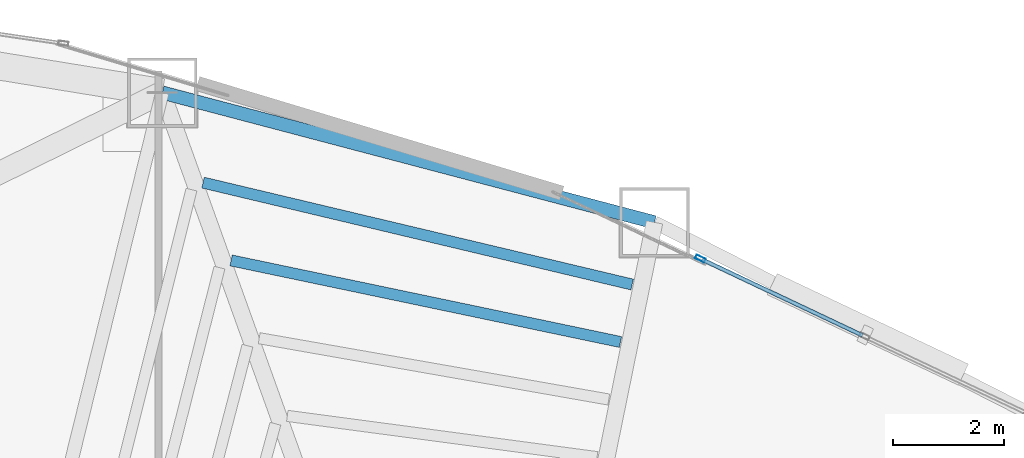
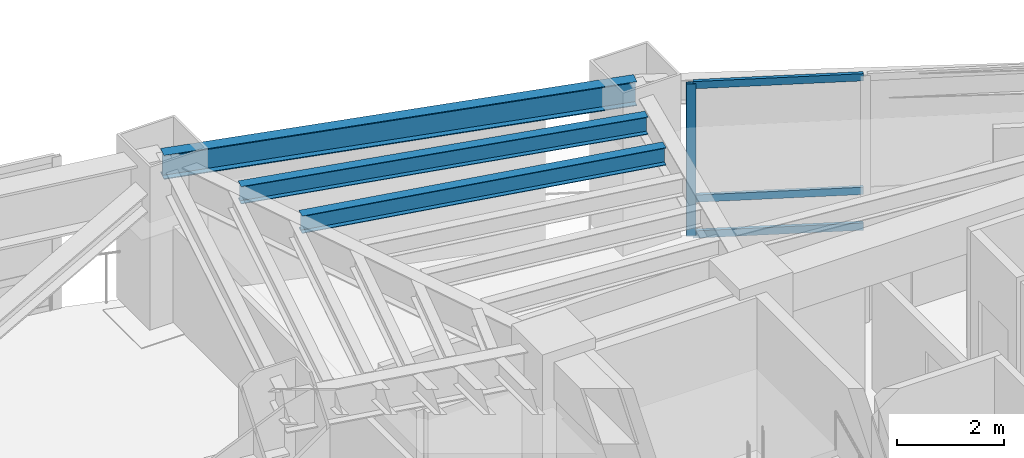
# One storey, part 15 of 23: 4 members, 3 beams, 1 element without a shape of its own.
"""IFC4 building model written with IfcOpenShell, lengths in metres."""

from ifc_helpers import new_model, si_unit, direction, frame, origin, origin_2d, place, context, subcontext, project, spatial, hollow_rectangle, i_section, extrude, material, layer, layer_set, material_profile, profile_set, type_object, element, aggregate, save


model = new_model("IFC4")

# Units and contexts
model_context = context("Model", 3, precision=1e-05, world=origin(), true_north=direction((0.0, 1.0)))
body_context = subcontext(model_context, "Body", "Model", "MODEL_VIEW")
ifc_project = project(units=[si_unit("LENGTHUNIT", "METRE"), si_unit("AREAUNIT", "SQUARE_METRE"), si_unit("VOLUMEUNIT", "CUBIC_METRE"), si_unit("PLANEANGLEUNIT", "RADIAN"), si_unit("MASSUNIT", "GRAM", prefix="KILO")], contexts=[model_context])

# Site, building, storey
site_placement = place(None, origin())
site = spatial("IfcSite", under=ifc_project, at=site_placement, CompositionType="ELEMENT")
building_placement = place(site_placement, origin())
building = spatial("IfcBuilding", under=site, at=building_placement, Name="Menara Vayukalpa", CompositionType="ELEMENT")
storey_placement = place(building_placement, frame((0.0, 0.0, 111.419921875)))
storey = spatial("IfcBuildingStorey", under=building, at=storey_placement, Name="L27", CompositionType="ELEMENT", Elevation=111.419921875)

# Beams
ifc_material_1 = material(Name="Steel S355", Category="steel")
ifc_material_profile_1 = material_profile(ifc_material_1, i_section(OverallWidth=0.199951171875, OverallDepth=0.39990234375, WebThickness=0.008056640625, FlangeThickness=0.012939453125, at=origin_2d()), Name="WF 400x200x8x13")
ifc_profile_set_1 = profile_set([ifc_material_profile_1], Name="Steel S355")
beam_type_1 = type_object("IfcBeamType", Name="BM-SJ2", PredefinedType="JOIST", material=ifc_profile_set_1)
beam_1_placement = place(storey_placement, frame((22.797119140625, 31.318603515625, 3.27001953125), z_axis=(-0.978749487369, 0.205059603471, 0.0), x_axis=(-0.205059603471, -0.978749487369, 0.0)))
element("IfcBeam", 1, at=beam_1_placement, inside=storey, type_object=beam_type_1, Name="L27 Secondary Floor Joist SJ03-4", PredefinedType="JOIST", context=body_context, shape_type="SweptSolid", body=[
    extrude(i_section(OverallWidth=0.199951171875, OverallDepth=0.39990234375, WebThickness=0.008056640625, FlangeThickness=0.012939453125, at=origin_2d()), origin(), (0.0, 0.0, 1.0), 7.1435546875),
])
beam_2_placement = place(storey_placement, frame((23.00732421875, 32.3505859375, 3.27001953125), z_axis=(-0.97293603101, 0.231074619036, 0.0), x_axis=(-0.231074619036, -0.97293603101, 0.0)))
element("IfcBeam", 2, at=beam_2_placement, inside=storey, type_object=beam_type_1, Name="L27 Secondary Floor Joist SJ03-5", PredefinedType="JOIST", context=body_context, shape_type="SweptSolid", body=[
    extrude(i_section(OverallWidth=0.199951171875, OverallDepth=0.39990234375, WebThickness=0.008056640625, FlangeThickness=0.012939453125, at=origin_2d()), origin(), (0.0, 0.0, 1.0), 7.9208984375),
])
ifc_material_2 = material(Name="Steel S355", Category="steel")
ifc_material_profile_2 = material_profile(ifc_material_2, i_section(OverallWidth=0.239990234375, OverallDepth=0.550048828125, WebThickness=0.010986328125, FlangeThickness=0.01904296875, at=origin_2d()), Name="WF 550x240x11x19")
ifc_profile_set_2 = profile_set([ifc_material_profile_2], Name="Steel S355")
beam_type_2 = type_object("IfcBeamType", Name="BM-SP2", PredefinedType="SPANDREL", material=ifc_profile_set_2)
beam_3_placement = place(storey_placement, frame((23.408203125, 33.46728515625, 3.195068359375), z_axis=(-0.966966857313, 0.254902131921, 0.0), x_axis=(-0.254902131921, -0.966966857313, 0.0)))
element("IfcBeam", 3, at=beam_3_placement, inside=storey, type_object=beam_type_2, Name="L27 Perimeter Spandrel Beam SP03", PredefinedType="SPANDREL", context=body_context, shape_type="SweptSolid", body=[
    extrude(i_section(OverallWidth=0.239990234375, OverallDepth=0.550048828125, WebThickness=0.010986328125, FlangeThickness=0.01904296875, at=origin_2d()), origin(), (0.0, 0.0, 1.0), 9.14111328125),
])

# Curtain wall, members
ifc_material_3 = material(Name="Anodised Terracotta Aluminium Alloy 6063-T6", Category="masonry")
ifc_layer = layer(ifc_material_3, 0.179931640625)
ifc_layer_set = layer_set([ifc_layer], Name="Anodised Terracotta Aluminium Alloy 6063-T6")
curtain_wall_type = type_object("IfcCurtainWallType", Name="CW-CW4", PredefinedType="USERDEFINED", material=ifc_layer_set)
curtain_wall_placement = place(storey_placement, origin())
curtain_wall = element("IfcCurtainWall", 4, at=curtain_wall_placement, inside=storey, type_object=curtain_wall_type, Name="L27 Sky Bar Cantilever Glazed Curtain Wall CW4 05", ObjectType="UNITISED", PredefinedType="USERDEFINED")
ifc_material_4 = material(Name="Anodised Terracotta Aluminium Alloy 6063-T6", Category="masonry")
ifc_material_profile_3 = material_profile(ifc_material_4, hollow_rectangle(XDim=0.074951171875, YDim=0.179931640625, WallThickness=0.00390625, at=origin_2d()), Name="ALU 75x180x4")
ifc_profile_set_3 = profile_set([ifc_material_profile_3], Name="Anodised Terracotta Aluminium Alloy 6063-T6")
member_type_1 = type_object("IfcMemberType", Name="CWM-CW4", PredefinedType="MULLION", material=ifc_profile_set_3)
member_1_placement = place(storey_placement, frame((24.230712890625, 32.815185546875, 0.0), z_axis=(0.0, 0.0, 1.0), x_axis=(-0.427870715016, -0.903839947796, 0.0)))
member_1 = element("IfcMember", 5, at=member_1_placement, type_object=member_type_1, Name="CW4 mullion 3", PredefinedType="MULLION", context=body_context, shape_type="SweptSolid", body=[
    extrude(hollow_rectangle(XDim=0.074951171875, YDim=0.179931640625, WallThickness=0.00390625, at=origin_2d()), origin(), (0.0, 0.0, 1.0), 3.469970703125),
])
ifc_material_5 = material(Name="Anodised Terracotta Aluminium Alloy 6063-T6", Category="masonry")
ifc_material_profile_4 = material_profile(ifc_material_5, hollow_rectangle(XDim=0.070068359375, YDim=0.1650390625, WallThickness=0.00390625, at=origin_2d()), Name="ALU 70x165x4")
ifc_profile_set_4 = profile_set([ifc_material_profile_4], Name="Anodised Terracotta Aluminium Alloy 6063-T6")
member_type_2 = type_object("IfcMemberType", Name="CWT-CW4", PredefinedType="USERDEFINED", material=ifc_profile_set_4)
member_2_placement = place(storey_placement, frame((27.14501953125, 31.435546875, 0.03515625), z_axis=(-0.903842327128, 0.427865688846, 0.0), x_axis=(-0.427865688846, -0.903842327128, 0.0)))
member_2 = element("IfcMember", 6, at=member_2_placement, type_object=member_type_2, Name="CW4 transom 2.1", ObjectType="TRANSOM", PredefinedType="USERDEFINED", context=body_context, shape_type="SweptSolid", body=[
    extrude(hollow_rectangle(XDim=0.070068359375, YDim=0.1650390625, WallThickness=0.00390625, at=origin_2d()), origin(), (0.0, 0.0, 1.0), 3.186767578125),
])
member_3_placement = place(storey_placement, frame((27.14501953125, 31.435546875, 0.85009765625), z_axis=(-0.903842327128, 0.427865688846, 0.0), x_axis=(-0.427865688846, -0.903842327128, 0.0)))
member_3 = element("IfcMember", 7, at=member_3_placement, type_object=member_type_2, Name="CW4 transom 2.2", ObjectType="TRANSOM", PredefinedType="USERDEFINED", context=body_context, shape_type="SweptSolid", body=[
    extrude(hollow_rectangle(XDim=0.070068359375, YDim=0.1650390625, WallThickness=0.00390625, at=origin_2d()), origin(), (0.0, 0.0, 1.0), 3.186767578125),
])
member_4_placement = place(storey_placement, frame((27.14501953125, 31.435546875, 3.43505859375), z_axis=(-0.903842327128, 0.427865688846, 0.0), x_axis=(-0.427865688846, -0.903842327128, 0.0)))
member_4 = element("IfcMember", 8, at=member_4_placement, type_object=member_type_2, Name="CW4 transom 2.3", ObjectType="TRANSOM", PredefinedType="USERDEFINED", context=body_context, shape_type="SweptSolid", body=[
    extrude(hollow_rectangle(XDim=0.070068359375, YDim=0.1650390625, WallThickness=0.00390625, at=origin_2d()), origin(), (0.0, 0.0, 1.0), 3.186767578125),
])
aggregate(curtain_wall, [member_1, member_2, member_3, member_4])

save(model, "model.ifc")
